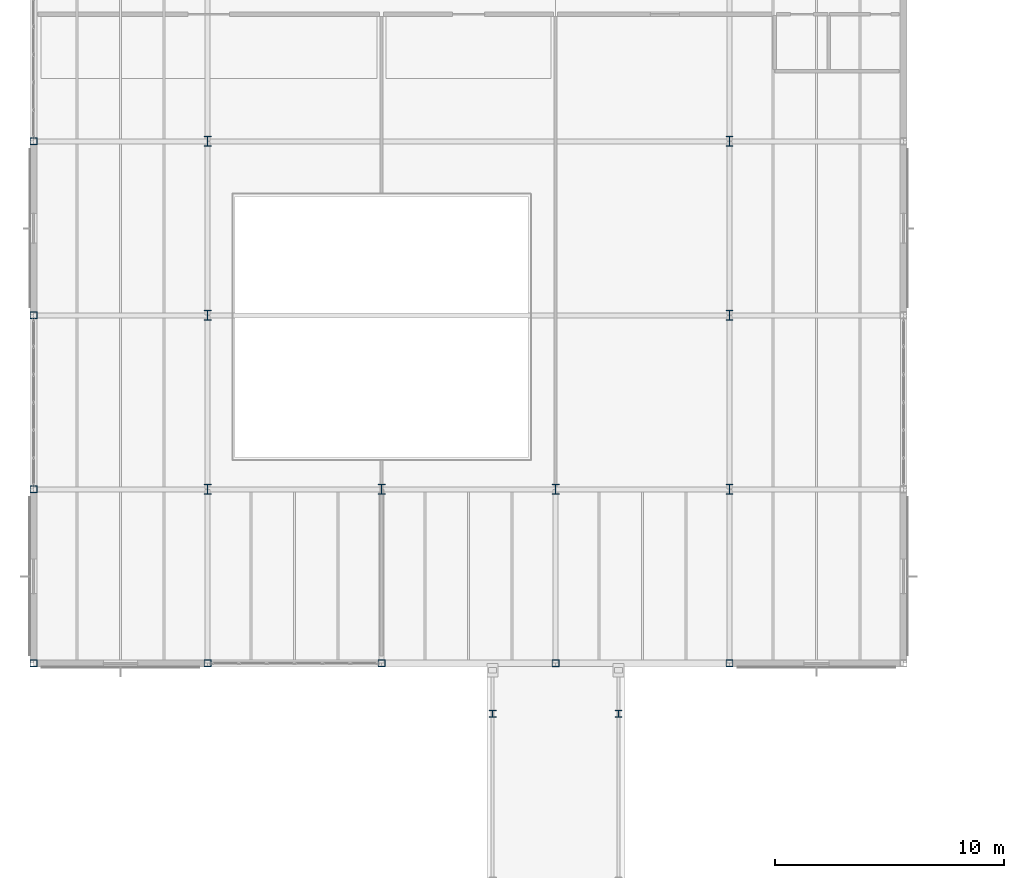
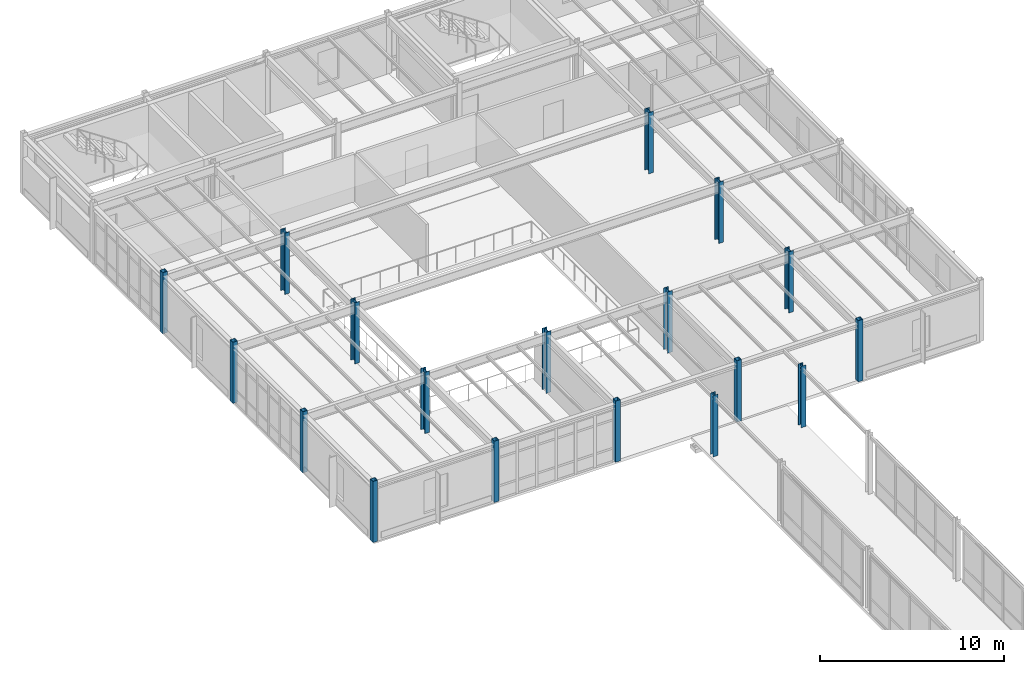
# One storey, part 9 of 165: 18 columns.
"""IFC4 building model written with IfcOpenShell, lengths in metres."""

import ifcopenshell
import ifcopenshell.guid

model = None  # the IFC model being written
_history = None  # IfcOwnerHistory: only IFC2X3 demands one
_inside = {}  # id of a spatial element -> (the spatial element, [elements in it])
_under = {}  # id of a project, library or spatial element -> (it, [spatial elements below it])
_declared = {}  # id of a project -> (the project, [libraries it declares])
_typed = {}  # id of a type object -> (the type object, [elements of that type])
_made_of = {}  # id of a material, layer set ... -> (it, [elements and type objects made of it])


def new_model(schema):
    """Start an empty IFC model of exactly this schema.

    Asked for "IFC4X3", IfcOpenShell would pick the latest addendum, in which some entities
    have other attributes; the version numbers below select the first issue.
    IFC2X3 requires an IfcOwnerHistory on every rooted entity: one is made here for all.
    """
    global model, _history
    if schema == "IFC4X3":
        model = ifcopenshell.file(schema_version=(4, 3, 0, 0))
    else:
        model = ifcopenshell.file(schema=schema)
    _inside.clear()
    _under.clear()
    _declared.clear()
    _typed.clear()
    _made_of.clear()
    _history = None
    if model.schema == "IFC2X3":
        org = make("IfcOrganization", Name="unknown")
        user = make(
            "IfcPersonAndOrganization",
            ThePerson=make("IfcPerson", FamilyName="unknown"),
            TheOrganization=org,
        )
        app = make(
            "IfcApplication",
            ApplicationDeveloper=org,
            Version="unknown",
            ApplicationFullName="unknown",
            ApplicationIdentifier="unknown",
        )
        _history = make(
            "IfcOwnerHistory",
            OwningUser=user,
            OwningApplication=app,
            ChangeAction="ADDED",
            CreationDate=0,
        )
    return model


def make(cls, **values):
    """One entity of the class cls with the attributes given. An attribute that is None is left unset."""
    return model.create_entity(
        cls, **{name: value for name, value in values.items() if value is not None}
    )


def rooted(cls, **values):
    """An entity with a GlobalId (a new one), such as an element, a storey or a relation."""
    return make(cls, GlobalId=ifcopenshell.guid.new(), OwnerHistory=_history, **values)


def si_unit(unit_type, name, prefix=None):
    """IfcSIUnit, for example si_unit("LENGTHUNIT", "METRE", prefix="MILLI")."""
    return make("IfcSIUnit", UnitType=unit_type, Prefix=prefix, Name=name)


def assignment(units):
    """IfcUnitAssignment: the units of a project."""
    return None if units is None else make("IfcUnitAssignment", Units=units)


def point(xyz):
    """IfcCartesianPoint."""
    return None if xyz is None else make("IfcCartesianPoint", Coordinates=xyz)


def direction(xyz):
    """IfcDirection."""
    return None if xyz is None else make("IfcDirection", DirectionRatios=xyz)


def frame(location, z_axis=None, x_axis=None):
    """IfcAxis2Placement3D, a coordinate frame: its origin and axes. An axis left out is left unset."""
    return make(
        "IfcAxis2Placement3D",
        Location=point(location),
        Axis=direction(z_axis),
        RefDirection=direction(x_axis),
    )


def frame_2d(location, x_axis=None):
    """IfcAxis2Placement2D, a coordinate frame in the plane: its origin and x axis."""
    return make(
        "IfcAxis2Placement2D", Location=point(location), RefDirection=direction(x_axis)
    )


def origin():
    """The frame at (0, 0, 0) with its axes left unset."""
    return frame((0.0, 0.0, 0.0))


def origin_2d():
    """The frame at (0, 0) in the plane with its x axis left unset."""
    return frame_2d((0.0, 0.0))


def place(relative_to, where):
    """IfcLocalPlacement: puts the frame where relative to a parent placement (None: the world)."""
    return make(
        "IfcLocalPlacement", PlacementRelTo=relative_to, RelativePlacement=where
    )


def context(
    kind, dimensions, precision=None, world=None, true_north=None, identifier=None
):
    """IfcGeometricRepresentationContext, for example the 3D "Model" context."""
    return make(
        "IfcGeometricRepresentationContext",
        ContextIdentifier=identifier,
        ContextType=kind,
        CoordinateSpaceDimension=dimensions,
        Precision=precision,
        WorldCoordinateSystem=world,
        TrueNorth=true_north,
    )


def subcontext(parent, identifier, kind, view, scale=None):
    """IfcGeometricRepresentationSubContext, for example "Body" below "Model"."""
    return make(
        "IfcGeometricRepresentationSubContext",
        ContextIdentifier=identifier,
        ContextType=kind,
        ParentContext=parent,
        TargetScale=scale,
        TargetView=view,
    )


def project(units=None, contexts=None):
    """IfcProject with its units and contexts."""
    return rooted(
        "IfcProject",
        Name="project",
        RepresentationContexts=contexts,
        UnitsInContext=assignment(units),
    )


def spatial(cls, under=None, at=None, **own):
    """A site, building, storey or space (cls), placed at a placement, below another one or the project."""
    s = rooted(cls, ObjectPlacement=at, **own)
    if under is not None:
        _under.setdefault(under.id(), (under, []))[1].append(s)
    return s


def profile(cls, at=None, kind="AREA", **sizes):
    """A parametric profile (cls). Its sizes go by their IFC names, for example OverallWidth=200.0."""
    return make(cls, ProfileType=kind, Position=at, **sizes)


def hollow_rectangle(**sizes):
    """IfcRectangleHollowProfileDef."""
    return profile("IfcRectangleHollowProfileDef", **sizes)


def i_section(**sizes):
    """IfcIShapeProfileDef."""
    return profile("IfcIShapeProfileDef", **sizes)


def extrude(swept, where, along, depth):
    """IfcExtrudedAreaSolid: the profile swept, set in the frame where, extruded along a direction by depth."""
    return make(
        "IfcExtrudedAreaSolid",
        SweptArea=swept,
        Position=where,
        ExtrudedDirection=direction(along),
        Depth=depth,
    )


def shape(context_of_items, identifier, shape_type, items):
    """IfcShapeRepresentation: the items that make up one representation, for example the "Body"."""
    return make(
        "IfcShapeRepresentation",
        ContextOfItems=context_of_items,
        RepresentationIdentifier=identifier,
        RepresentationType=shape_type,
        Items=items,
    )


def material(Name=None, Category=None):
    """IfcMaterial."""
    return make("IfcMaterial", Name=Name, Category=Category)


def material_profile(
    of_material, cross_section, Name=None, Category=None, Priority=None
):
    """IfcMaterialProfile: a cross section and its material."""
    return make(
        "IfcMaterialProfile",
        Name=Name,
        Material=of_material,
        Profile=cross_section,
        Priority=Priority,
        Category=Category,
    )


def profile_set(profiles, Name=None, composite=None):
    """IfcMaterialProfileSet."""
    return make(
        "IfcMaterialProfileSet",
        Name=Name,
        MaterialProfiles=profiles,
        CompositeProfile=composite,
    )


def made_of(thing, what):
    """Note that an element or type object is made of a material, layer set ...; save() writes the relation."""
    if what is not None:
        _made_of.setdefault(what.id(), (what, []))[1].append(thing)
    return thing


def type_object(cls, material=None, **own):
    """A type object (cls), such as IfcWallType, which elements share."""
    return made_of(rooted(cls, **own), material)


def element(
    cls,
    number,
    at=None,
    inside=None,
    cuts=None,
    type_object=None,
    material=None,
    context=None,
    identifier="Body",
    shape_type=None,
    held_by="IfcProductDefinitionShape",
    body=None,
    shapes=None,
    **own,
):
    """One element of the class cls, such as IfcWall. Its Tag is "e" and its number.

    at: its placement. inside: the storey or other place that contains it. cuts: it is an
    opening in that element (IfcRelVoidsElement). A single representation is given by context,
    identifier, shape_type and body (its items); several are given by shapes. held_by: the class
    of the entity that holds the representations. save() writes the other relations.
    """
    e = rooted(cls, Tag="e%d" % number, ObjectPlacement=at, **own)
    if body is not None:
        shapes = [shape(context, identifier, shape_type, body)]
    if shapes is not None:
        e.Representation = make(held_by, Representations=shapes)
    if inside is not None:
        _inside.setdefault(inside.id(), (inside, []))[1].append(e)
    if cuts is not None:
        rooted(
            "IfcRelVoidsElement", RelatingBuildingElement=cuts, RelatedOpeningElement=e
        )
    if type_object is not None:
        _typed.setdefault(type_object.id(), (type_object, []))[1].append(e)
    return made_of(e, material)


def aggregate(whole, parts):
    """IfcRelAggregates: a whole, such as a stair, and the parts it consists of."""
    return rooted("IfcRelAggregates", RelatingObject=whole, RelatedObjects=parts)


def save(model, path):
    """Write the relations noted so far, then the file.

    IfcRelAggregates (storeys below a building ...), IfcRelContainedInSpatialStructure (elements
    in a storey), IfcRelDefinesByType, IfcRelAssociatesMaterial and IfcRelDeclares: one each for
    every whole, place, type object, material and project.
    """
    for whole, parts in _under.values():
        aggregate(whole, parts)
    for where, things in _inside.values():
        rooted(
            "IfcRelContainedInSpatialStructure",
            RelatedElements=things,
            RelatingStructure=where,
        )
    for kind, things in _typed.values():
        rooted("IfcRelDefinesByType", RelatedObjects=things, RelatingType=kind)
    for what, things in _made_of.values():
        rooted("IfcRelAssociatesMaterial", RelatedObjects=things, RelatingMaterial=what)
    for by, libraries in _declared.values():
        rooted("IfcRelDeclares", RelatingContext=by, RelatedDefinitions=libraries)
    model.write(path)


model = new_model("IFC4")

# Units and contexts
model_context = context("Model", 3, precision=1e-05, world=origin(), true_north=direction((0.0, 1.0)))
body_context = subcontext(model_context, "Body", "Model", "MODEL_VIEW")
ifc_project = project(units=[si_unit("LENGTHUNIT", "METRE"), si_unit("AREAUNIT", "SQUARE_METRE"), si_unit("VOLUMEUNIT", "CUBIC_METRE"), si_unit("PLANEANGLEUNIT", "RADIAN"), si_unit("MASSUNIT", "GRAM", prefix="KILO")], contexts=[model_context])

# Site, building, storey
site_placement = place(None, origin())
site = spatial("IfcSite", under=ifc_project, at=site_placement, CompositionType="ELEMENT")
building_placement = place(site_placement, origin())
building = spatial("IfcBuilding", under=site, at=building_placement, Name="Montecoro Central Library", CompositionType="ELEMENT")
storey_placement = place(building_placement, frame((0.0, 0.0, 5.10009765625)))
storey = spatial("IfcBuildingStorey", under=building, at=storey_placement, Name="L01", CompositionType="ELEMENT", Elevation=5.10009765625)

# Columns
ifc_material = material(Name="Steel S355", Category="steel")
ifc_material_profile_1 = material_profile(ifc_material, i_section(OverallWidth=0.300048828125, OverallDepth=0.300048828125, WebThickness=0.010986328125, FlangeThickness=0.01904296875, at=origin_2d()), Name="HEB 300")
ifc_profile_set_1 = profile_set([ifc_material_profile_1], Name="Steel S355")
column_type_1 = type_object("IfcColumnType", Name="COL-HEB300", PredefinedType="COLUMN", material=ifc_profile_set_1)
for number, where, z_axis, x_axis, name in (
    (1, (25.050048828125, 71.199951171875, 0.0), (0.0, 0.0, 1.0), (1.0, 0.0, 0.0), "BR-W-L01-COL-250-712"),
    (2, (30.550048828125, 71.199951171875, 0.0), (0.0, 0.0, 1.0), (1.0, 0.0, 0.0), "BR-W-L01-COL-305-712"),
):
    element("IfcColumn", number, at=place(storey_placement, frame(where, z_axis=z_axis, x_axis=x_axis)), inside=storey, type_object=column_type_1, Name=name, PredefinedType="COLUMN", context=body_context, shape_type="SweptSolid", body=[
        extrude(i_section(OverallWidth=0.300048828125, OverallDepth=0.300048828125, WebThickness=0.010986328125, FlangeThickness=0.01904296875, at=origin_2d()), origin(), (0.0, 0.0, 1.0), 4.054931640625),
    ])
ifc_material_profile_2 = material_profile(ifc_material, i_section(OverallWidth=0.300048828125, OverallDepth=0.449951171875, WebThickness=0.013916015625, FlangeThickness=0.02587890625, at=origin_2d()), Name="HEB 450")
ifc_profile_set_2 = profile_set([ifc_material_profile_2], Name="Steel S355")
column_type_2 = type_object("IfcColumnType", Name="COL-HEB450", PredefinedType="COLUMN", material=ifc_profile_set_2)
for number, where, z_axis, x_axis, name in (
    (3, (12.60009765625, 81.0, 0.0), (0.0, 0.0, 1.0), (1.0, 0.0, 0.0), "V4-L01-COL-2-L"),
    (4, (12.60009765625, 88.60009765625, 0.0), (0.0, 0.0, 1.0), (1.0, 0.0, 0.0), "V4-L01-COL-2-M"),
    (5, (12.60009765625, 96.199951171875, 0.0), (0.0, 0.0, 1.0), (1.0, 0.0, 0.0), "V4-L01-COL-2-N"),
    (6, (20.199951171875, 81.0, 0.0), (0.0, 0.0, 1.0), (1.0, 0.0, 0.0), "V4-L01-COL-3-L"),
    (7, (27.800048828125, 81.0, 0.0), (0.0, 0.0, 1.0), (1.0, 0.0, 0.0), "V4-L01-COL-4-L"),
    (8, (35.39990234375, 81.0, 0.0), (0.0, 0.0, 1.0), (1.0, 0.0, 0.0), "V4-L01-COL-5-L"),
    (9, (35.39990234375, 88.60009765625, 0.0), (0.0, 0.0, 1.0), (1.0, 0.0, 0.0), "V4-L01-COL-5-M"),
    (10, (35.39990234375, 96.199951171875, 0.0), (0.0, 0.0, 1.0), (1.0, 0.0, 0.0), "V4-L01-COL-5-N"),
):
    element("IfcColumn", number, at=place(storey_placement, frame(where, z_axis=z_axis, x_axis=x_axis)), inside=storey, type_object=column_type_2, Name=name, PredefinedType="COLUMN", context=body_context, shape_type="SweptSolid", body=[
        extrude(i_section(OverallWidth=0.300048828125, OverallDepth=0.449951171875, WebThickness=0.013916015625, FlangeThickness=0.02587890625, at=origin_2d()), origin(), (0.0, 0.0, 1.0), 4.054931640625),
    ])
ifc_material_profile_3 = material_profile(ifc_material, hollow_rectangle(XDim=0.300048828125, YDim=0.300048828125, WallThickness=0.012451171875, at=origin_2d()), Name="SHS 300x300x12.5")
ifc_profile_set_3 = profile_set([ifc_material_profile_3], Name="Steel S355")
column_type_3 = type_object("IfcColumnType", Name="COL-SHS300", PredefinedType="COLUMN", material=ifc_profile_set_3)
for number, where, z_axis, x_axis, name in (
    (11, (5.0, 73.39990234375, 0.0), (0.0, 0.0, 1.0), (1.0, 0.0, 0.0), "V4-L01-COL-1-K"),
    (12, (5.0, 81.0, 0.0), (0.0, 0.0, 1.0), (1.0, 0.0, 0.0), "V4-L01-COL-1-L"),
    (13, (5.0, 88.60009765625, 0.0), (0.0, 0.0, 1.0), (1.0, 0.0, 0.0), "V4-L01-COL-1-M"),
    (14, (5.0, 96.199951171875, 0.0), (0.0, 0.0, 1.0), (1.0, 0.0, 0.0), "V4-L01-COL-1-N"),
    (15, (12.60009765625, 73.39990234375, 0.0), (0.0, 0.0, 1.0), (1.0, 0.0, 0.0), "V4-L01-COL-2-K"),
    (16, (20.199951171875, 73.39990234375, 0.0), (0.0, 0.0, 1.0), (1.0, 0.0, 0.0), "V4-L01-COL-3-K"),
    (17, (27.800048828125, 73.39990234375, 0.0), (0.0, 0.0, 1.0), (1.0, 0.0, 0.0), "V4-L01-COL-4-K"),
    (18, (35.39990234375, 73.39990234375, 0.0), (0.0, 0.0, 1.0), (1.0, 0.0, 0.0), "V4-L01-COL-5-K"),
):
    element("IfcColumn", number, at=place(storey_placement, frame(where, z_axis=z_axis, x_axis=x_axis)), inside=storey, type_object=column_type_3, Name=name, PredefinedType="COLUMN", context=body_context, shape_type="SweptSolid", body=[
        extrude(hollow_rectangle(XDim=0.300048828125, YDim=0.300048828125, WallThickness=0.012451171875, at=origin_2d()), origin(), (0.0, 0.0, 1.0), 4.054931640625),
    ])

save(model, "model.ifc")
